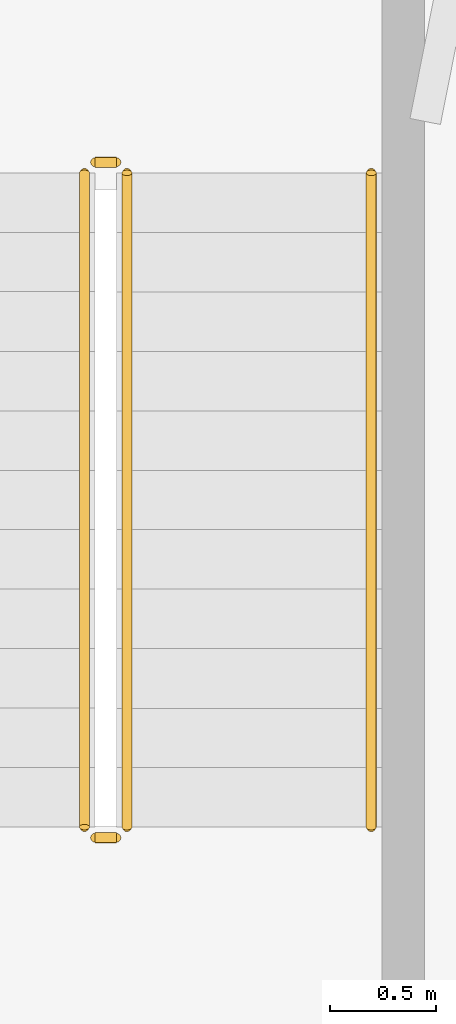
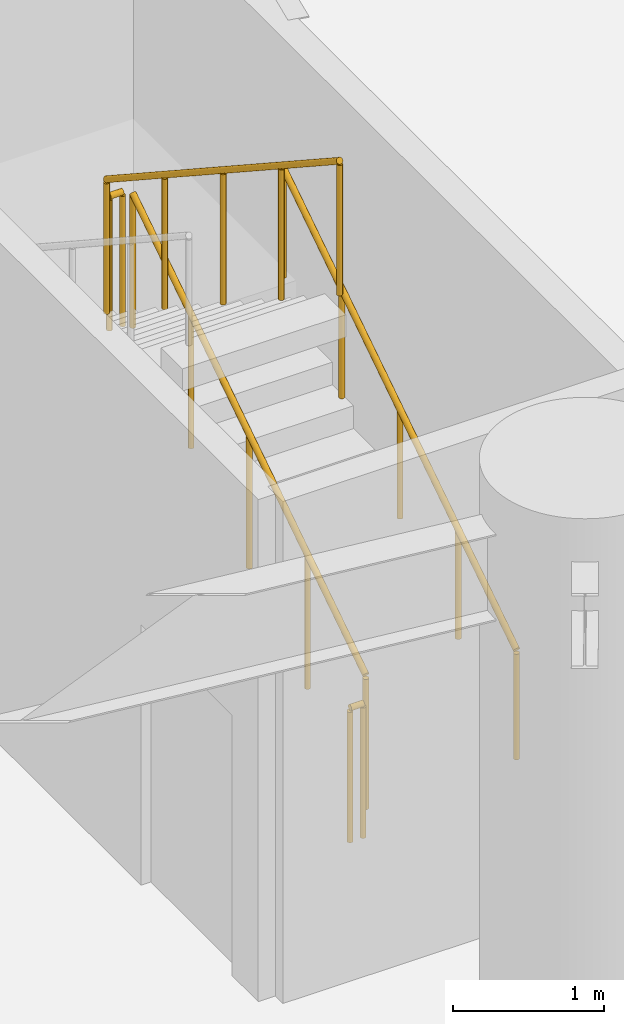
# One storey, part 23 of 24: 5 railings.
"""IFC4 building model written with IfcOpenShell, lengths in metres."""

from ifc_helpers import new_model, si_unit, direction, frame, origin, origin_2d, place, context, subcontext, project, spatial, circle, extrude, material, type_object, element, save


model = new_model("IFC4")

# Units and contexts
model_context = context("Model", 3, precision=1e-05, world=origin(), true_north=direction((0.0, 1.0)))
body_context = subcontext(model_context, "Body", "Model", "MODEL_VIEW")
ifc_project = project(units=[si_unit("LENGTHUNIT", "METRE"), si_unit("AREAUNIT", "SQUARE_METRE"), si_unit("VOLUMEUNIT", "CUBIC_METRE"), si_unit("PLANEANGLEUNIT", "RADIAN"), si_unit("MASSUNIT", "GRAM", prefix="KILO")], contexts=[model_context])

# Site, building, storey
site_placement = place(None, origin())
site = spatial("IfcSite", under=ifc_project, at=site_placement, CompositionType="ELEMENT")
building_placement = place(site_placement, origin())
building = spatial("IfcBuilding", under=site, at=building_placement, Name="Spindrift Exchange Tower", CompositionType="ELEMENT")
storey_placement = place(building_placement, frame((0.0, 0.0, 5.0)))
storey = spatial("IfcBuildingStorey", under=building, at=storey_placement, Name="L01", CompositionType="ELEMENT", Elevation=5.0)

# Railings
ifc_material_1 = material(Name="Steel balustrade", Category="steel")
railing_type_1 = type_object("IfcRailingType", Name="RL-STAIR-GUARD", PredefinedType="GUARDRAIL", material=ifc_material_1)
railing_1_placement = place(storey_placement, frame((85.89990234375, 45.949951171875, 0.183349609375)))
element("IfcRailing", 1, at=railing_1_placement, inside=storey, type_object=railing_type_1, Name="L01 ST5 stair guard 1", PredefinedType="GUARDRAIL", context=body_context, shape_type="SweptSolid", body=[
    extrude(circle(Radius=0.02392578125, at=origin_2d()), frame((0.0, 0.0, 1.076171875), z_axis=(0.0, 0.836633000464, 0.547763838287), x_axis=(-1.0, 0.0, 0.0)), (0.0, 0.0, 1.0), 3.681396484375),
    extrude(circle(Radius=0.02099609375, at=origin_2d()), origin(), (0.0, 0.0, 1.0), 1.052001953125),
    extrude(circle(Radius=0.02099609375, at=origin_2d()), frame((0.0, 0.77001953125, 0.504150390625)), (0.0, 0.0, 1.0), 1.052001953125),
    extrude(circle(Radius=0.02099609375, at=origin_2d()), frame((0.0, 1.5400390625, 1.00830078125)), (0.0, 0.0, 1.0), 1.052001953125),
    extrude(circle(Radius=0.02099609375, at=origin_2d()), frame((0.0, 2.31005859375, 1.512451171875)), (0.0, 0.0, 1.0), 1.052001953125),
    extrude(circle(Radius=0.02099609375, at=origin_2d()), frame((0.0, 3.080078125, 2.0166015625)), (0.0, 0.0, 1.0), 1.052001953125),
])
railing_2_placement = place(storey_placement, frame((85.85009765625, 49.080078125, 2.199951171875)))
element("IfcRailing", 2, at=railing_2_placement, inside=storey, type_object=railing_type_1, Name="L01 ST5 stair guard 2", PredefinedType="GUARDRAIL", context=body_context, shape_type="SweptSolid", body=[
    extrude(circle(Radius=0.02392578125, at=origin_2d()), frame((0.0, 0.0, 1.076171875), z_axis=(-1.0, 0.0, 0.0), x_axis=(0.0, -1.0, 0.0)), (0.0, 0.0, 1.0), 0.10009765625),
    extrude(circle(Radius=0.02099609375, at=origin_2d()), origin(), (0.0, 0.0, 1.0), 1.052001953125),
    extrude(circle(Radius=0.02099609375, at=origin_2d()), frame((-0.10009765625, 0.0, 0.0)), (0.0, 0.0, 1.0), 1.052001953125),
])
railing_3_placement = place(storey_placement, frame((85.699951171875, 49.030029296875, 2.38330078125)))
element("IfcRailing", 3, at=railing_3_placement, inside=storey, type_object=railing_type_1, Name="L01 ST5 stair guard 3", PredefinedType="GUARDRAIL", context=body_context, shape_type="SweptSolid", body=[
    extrude(circle(Radius=0.02392578125, at=origin_2d()), frame((0.0, 0.0, 1.076171875), z_axis=(0.0, -0.836633000464, 0.547763838287), x_axis=(1.0, 0.0, 0.0)), (0.0, 0.0, 1.0), 3.681396484375),
    extrude(circle(Radius=0.02099609375, at=origin_2d()), origin(), (0.0, 0.0, 1.0), 1.052001953125),
    extrude(circle(Radius=0.02099609375, at=origin_2d()), frame((0.0, -0.77001953125, 0.504150390625)), (0.0, 0.0, 1.0), 1.052001953125),
    extrude(circle(Radius=0.02099609375, at=origin_2d()), frame((0.0, -1.5400390625, 1.00830078125)), (0.0, 0.0, 1.0), 1.052001953125),
    extrude(circle(Radius=0.02099609375, at=origin_2d()), frame((0.0, -2.31005859375, 1.512451171875)), (0.0, 0.0, 1.0), 1.052001953125),
    extrude(circle(Radius=0.02099609375, at=origin_2d()), frame((0.0, -3.080078125, 2.0166015625)), (0.0, 0.0, 1.0), 1.052001953125),
])
railing_4_placement = place(storey_placement, frame((85.85009765625, 45.89990234375, 0.0)))
element("IfcRailing", 4, at=railing_4_placement, inside=storey, type_object=railing_type_1, Name="L01 ST5 stair guard 4", PredefinedType="GUARDRAIL", context=body_context, shape_type="SweptSolid", body=[
    extrude(circle(Radius=0.02392578125, at=origin_2d()), frame((0.0, 0.0, 1.076171875), z_axis=(-1.0, 0.0, 0.0), x_axis=(0.0, -1.0, 0.0)), (0.0, 0.0, 1.0), 0.10009765625),
    extrude(circle(Radius=0.02099609375, at=origin_2d()), origin(), (0.0, 0.0, 1.0), 1.052001953125),
    extrude(circle(Radius=0.02099609375, at=origin_2d()), frame((-0.10009765625, 0.0, 0.0)), (0.0, 0.0, 1.0), 1.052001953125),
])
ifc_material_2 = material(Name="Steel tubular handrail", Category="steel")
railing_type_2 = type_object("IfcRailingType", Name="RL-STAIR-HAND", PredefinedType="HANDRAIL", material=ifc_material_2)
railing_5_placement = place(storey_placement, frame((87.050048828125, 45.949951171875, 0.183349609375)))
element("IfcRailing", 5, at=railing_5_placement, inside=storey, type_object=railing_type_2, Name="L01 ST5 stair handrail 1", PredefinedType="HANDRAIL", context=body_context, shape_type="SweptSolid", body=[
    extrude(circle(Radius=0.02392578125, at=origin_2d()), frame((0.0, 0.0, 0.8759765625), z_axis=(0.0, 0.836633000464, 0.547763838287), x_axis=(-1.0, 0.0, 0.0)), (0.0, 0.0, 1.0), 3.681396484375),
    extrude(circle(Radius=0.02099609375, at=origin_2d()), origin(), (0.0, 0.0, 1.0), 0.851806640625),
    extrude(circle(Radius=0.02099609375, at=origin_2d()), frame((0.0, 0.77001953125, 0.504150390625)), (0.0, 0.0, 1.0), 0.851806640625),
    extrude(circle(Radius=0.02099609375, at=origin_2d()), frame((0.0, 1.5400390625, 1.00830078125)), (0.0, 0.0, 1.0), 0.851806640625),
    extrude(circle(Radius=0.02099609375, at=origin_2d()), frame((0.0, 2.31005859375, 1.512451171875)), (0.0, 0.0, 1.0), 0.851806640625),
    extrude(circle(Radius=0.02099609375, at=origin_2d()), frame((0.0, 3.080078125, 2.0166015625)), (0.0, 0.0, 1.0), 0.851806640625),
])

save(model, "model.ifc")
